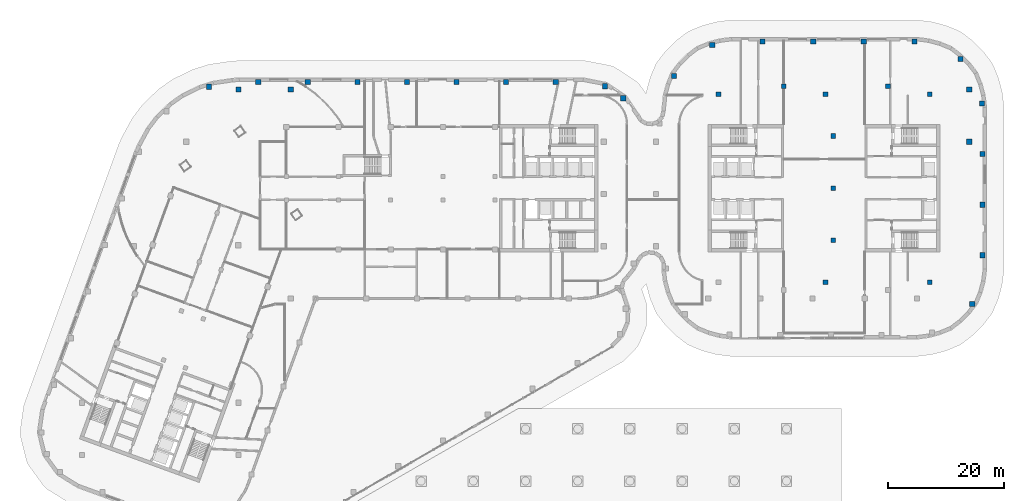
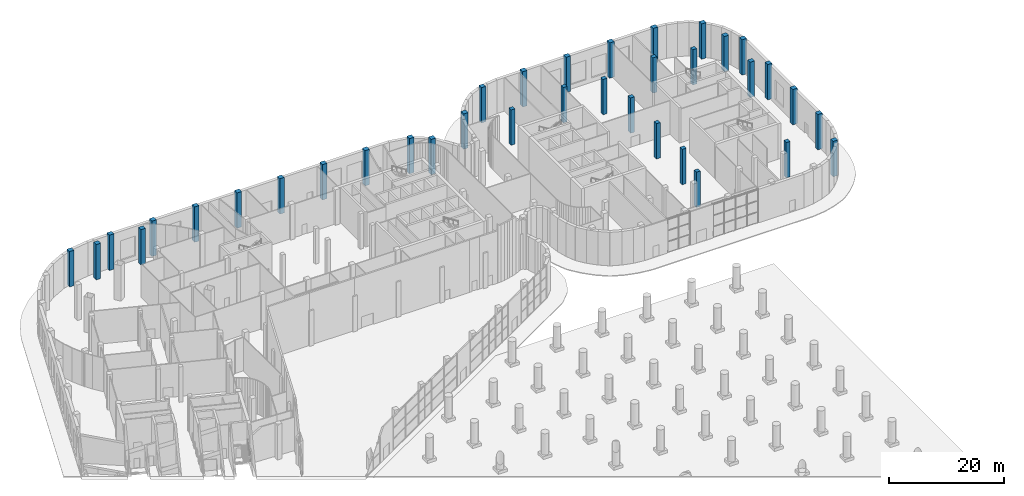
# One storey, part 2 of 30: 36 columns.
"""IFC4 building model written with IfcOpenShell, lengths in metres."""

from ifc_helpers import new_model, si_unit, direction, frame, origin, origin_2d, place, context, subcontext, project, spatial, rectangle, extrude, material, material_profile, profile_set, type_object, element, save


model = new_model("IFC4")

# Units and contexts
model_context = context("Model", 3, precision=1e-05, world=origin(), true_north=direction((0.0, 1.0)))
body_context = subcontext(model_context, "Body", "Model", "MODEL_VIEW")
ifc_project = project(units=[si_unit("LENGTHUNIT", "METRE"), si_unit("AREAUNIT", "SQUARE_METRE"), si_unit("VOLUMEUNIT", "CUBIC_METRE"), si_unit("PLANEANGLEUNIT", "RADIAN"), si_unit("MASSUNIT", "GRAM", prefix="KILO")], contexts=[model_context])

# Site, building, storey
site_placement = place(None, origin())
site = spatial("IfcSite", under=ifc_project, at=site_placement, CompositionType="ELEMENT")
building_placement = place(site_placement, origin())
building = spatial("IfcBuilding", under=site, at=building_placement, Name="Skarvind Civic Tower", CompositionType="ELEMENT")
storey_placement = place(building_placement, origin())
storey = spatial("IfcBuildingStorey", under=building, at=storey_placement, Name="L00", CompositionType="ELEMENT", Elevation=0.0)

# Columns
ifc_material = material(Name="Concrete C60", Category="concrete")
ifc_material_profile_1 = material_profile(ifc_material, rectangle(XDim=0.800048828125, YDim=0.800048828125, at=origin_2d()), Name="RC-800x800")
ifc_profile_set_1 = profile_set([ifc_material_profile_1], Name="Concrete C60")
column_type_1 = type_object("IfcColumnType", Name="Column RC-800x800 C60", PredefinedType="COLUMN", material=ifc_profile_set_1)
for number, where, z_axis, x_axis, name in (
    (1, (128.777099609375, 144.222900390625, 0.0), (0.0, 0.0, 1.0), (1.0, 0.0, 0.0), "Column second tower north-west corner L00"),
    (2, (148.550048828125, 119.0, 0.0), (0.0, 0.0, 1.0), (1.0, 0.0, 0.0), "Column second tower middle line 01 L00"),
    (3, (148.550048828125, 128.0, 0.0), (0.0, 0.0, 1.0), (1.0, 0.0, 0.0), "Column second tower middle line 02 L00"),
    (4, (148.550048828125, 137.0, 0.0), (0.0, 0.0, 1.0), (1.0, 0.0, 0.0), "Column second tower middle line 03 L00"),
    (5, (140.0, 145.550048828125, 0.0), (0.0, 0.0, 1.0), (1.0, 0.0, 0.0), "Column second tower north perimeter 02 L00"),
    (6, (147.222900390625, 144.222900390625, 0.0), (0.0, 0.0, 1.0), (1.0, 0.0, 0.0), "Column second tower north perimeter 03 L00"),
    (7, (147.222900390625, 111.777099609375, 0.0), (0.0, 0.0, 1.0), (1.0, 0.0, 0.0), "Column second tower south perimeter 03 L00"),
    (8, (165.222900390625, 144.222900390625, 0.0), (0.0, 0.0, 1.0), (1.0, 0.0, 0.0), "Column second tower north-east corner L00"),
    (9, (165.222900390625, 111.777099609375, 0.0), (0.0, 0.0, 1.0), (1.0, 0.0, 0.0), "Column second tower south-east corner L00"),
    (10, (158.0, 145.550048828125, 0.0), (0.0, 0.0, 1.0), (1.0, 0.0, 0.0), "Column second tower north perimeter 04 L00"),
):
    element("IfcColumn", number, at=place(storey_placement, frame(where, z_axis=z_axis, x_axis=x_axis)), inside=storey, type_object=column_type_1, Name=name, PredefinedType="COLUMN", context=body_context, shape_type="SweptSolid", body=[
        extrude(rectangle(XDim=0.800048828125, YDim=0.800048828125, at=origin_2d()), origin(), (0.0, 0.0, 1.0), 7.5),
    ])
ifc_material_profile_2 = material_profile(ifc_material, rectangle(XDim=0.89990234375, YDim=0.89990234375, at=origin_2d()), Name="RC-900x900")
ifc_profile_set_2 = profile_set([ifc_material_profile_2], Name="Concrete C60")
column_type_2 = type_object("IfcColumnType", Name="Column RC-900x900 C60", PredefinedType="COLUMN", material=ifc_profile_set_2)
for number, where, z_axis, x_axis, name in (
    (11, (172.0, 136.0, 0.0), (0.0, 0.0, 1.0), (1.0, 0.0, 0.0), "Column podium grid 105 L00"),
    (12, (172.0, 145.0, 0.0), (0.0, 0.0, 1.0), (1.0, 0.0, 0.0), "Column podium grid 106 L00"),
    (13, (46.0, 145.0, 0.0), (0.0, 0.0, 1.0), (1.0, 0.0, 0.0), "Column podium grid 75 L00"),
    (14, (55.0, 145.0, 0.0), (0.0, 0.0, 1.0), (1.0, 0.0, 0.0), "Column podium grid 80 L00"),
    (15, (40.927001953125, 145.478515625, 0.0), (0.0, 0.0, 1.0), (1.0, 0.0, 0.0), "Column podium edge 17 L00"),
    (16, (49.399658203125, 146.300048828125, 0.0), (0.0, 0.0, 1.0), (1.0, 0.0, 0.0), "Column podium edge 18 L00"),
    (17, (57.949951171875, 146.300048828125, 0.0), (0.0, 0.0, 1.0), (1.0, 0.0, 0.0), "Column podium edge 19 L00"),
    (18, (66.5, 146.300048828125, 0.0), (0.0, 0.0, 1.0), (1.0, 0.0, 0.0), "Column podium edge 20 L00"),
    (19, (75.050048828125, 146.300048828125, 0.0), (0.0, 0.0, 1.0), (1.0, 0.0, 0.0), "Column podium edge 21 L00"),
    (20, (83.600341796875, 146.300048828125, 0.0), (0.0, 0.0, 1.0), (1.0, 0.0, 0.0), "Column podium edge 22 L00"),
    (21, (92.150390625, 146.300048828125, 0.0), (0.0, 0.0, 1.0), (1.0, 0.0, 0.0), "Column podium edge 23 L00"),
    (22, (100.700439453125, 146.300048828125, 0.0), (0.0, 0.0, 1.0), (1.0, 0.0, 0.0), "Column podium edge 24 L00"),
    (23, (109.179931640625, 145.566650390625, 0.0), (0.0, 0.0, 1.0), (1.0, 0.0, 0.0), "Column podium edge 25 L00"),
    (24, (112.329345703125, 143.49560546875, 0.0), (0.0, 0.0, 1.0), (1.0, 0.0, 0.0), "Column podium edge 26 L00"),
    (25, (121.09521484375, 147.3408203125, 0.0), (0.0, 0.0, 1.0), (1.0, 0.0, 0.0), "Column podium edge 28 L00"),
    (26, (127.706787109375, 152.675048828125, 0.0), (0.0, 0.0, 1.0), (1.0, 0.0, 0.0), "Column podium edge 29 L00"),
    (27, (136.371826171875, 153.300048828125, 0.0), (0.0, 0.0, 1.0), (1.0, 0.0, 0.0), "Column podium edge 30 L00"),
    (28, (145.1015625, 153.300048828125, 0.0), (0.0, 0.0, 1.0), (1.0, 0.0, 0.0), "Column podium edge 31 L00"),
    (29, (153.8310546875, 153.300048828125, 0.0), (0.0, 0.0, 1.0), (1.0, 0.0, 0.0), "Column podium edge 32 L00"),
    (30, (162.560791015625, 153.300048828125, 0.0), (0.0, 0.0, 1.0), (1.0, 0.0, 0.0), "Column podium edge 33 L00"),
    (31, (170.520751953125, 150.26708984375, 0.0), (0.0, 0.0, 1.0), (1.0, 0.0, 0.0), "Column podium edge 34 L00"),
    (32, (174.210693359375, 142.610595703125, 0.0), (0.0, 0.0, 1.0), (1.0, 0.0, 0.0), "Column podium edge 35 L00"),
    (33, (174.300048828125, 133.88671875, 0.0), (0.0, 0.0, 1.0), (1.0, 0.0, 0.0), "Column podium edge 36 L00"),
    (34, (174.300048828125, 125.1572265625, 0.0), (0.0, 0.0, 1.0), (1.0, 0.0, 0.0), "Column podium edge 37 L00"),
    (35, (174.300048828125, 116.427490234375, 0.0), (0.0, 0.0, 1.0), (1.0, 0.0, 0.0), "Column podium edge 38 L00"),
    (36, (172.520751953125, 108.018798828125, 0.0), (0.0, 0.0, 1.0), (1.0, 0.0, 0.0), "Column podium edge 39 L00"),
):
    element("IfcColumn", number, at=place(storey_placement, frame(where, z_axis=z_axis, x_axis=x_axis)), inside=storey, type_object=column_type_2, Name=name, PredefinedType="COLUMN", context=body_context, shape_type="SweptSolid", body=[
        extrude(rectangle(XDim=0.89990234375, YDim=0.89990234375, at=origin_2d()), origin(), (0.0, 0.0, 1.0), 7.5),
    ])

save(model, "model.ifc")
